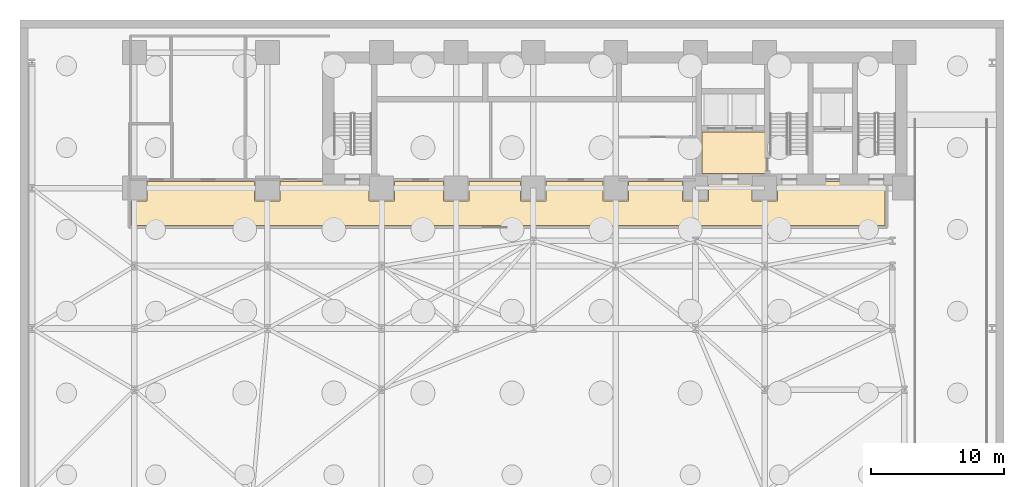
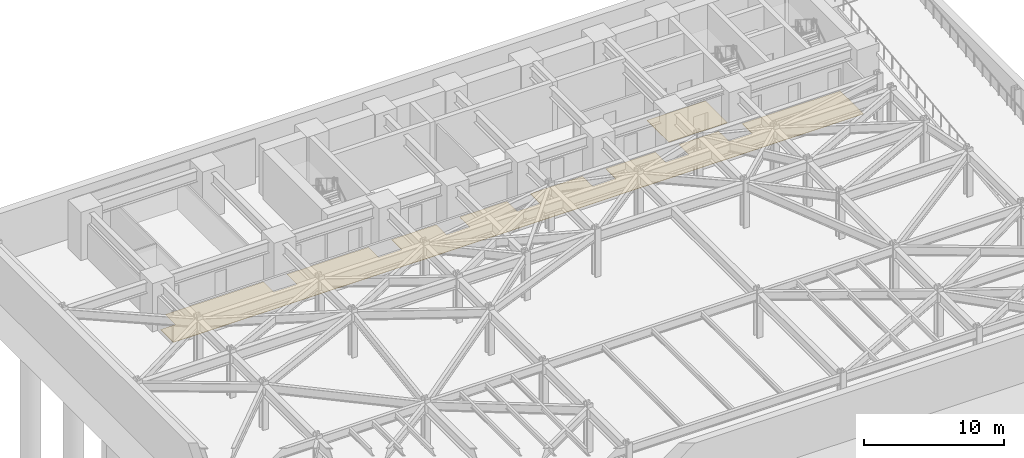
# One storey, part 8 of 12: 2 coverings.
"""IFC4 building model written with IfcOpenShell, lengths in metres."""

import ifcopenshell
import ifcopenshell.guid

model = None  # the IFC model being written
_history = None  # IfcOwnerHistory: only IFC2X3 demands one
_inside = {}  # id of a spatial element -> (the spatial element, [elements in it])
_under = {}  # id of a project, library or spatial element -> (it, [spatial elements below it])
_declared = {}  # id of a project -> (the project, [libraries it declares])
_typed = {}  # id of a type object -> (the type object, [elements of that type])
_made_of = {}  # id of a material, layer set ... -> (it, [elements and type objects made of it])


def new_model(schema):
    """Start an empty IFC model of exactly this schema.

    Asked for "IFC4X3", IfcOpenShell would pick the latest addendum, in which some entities
    have other attributes; the version numbers below select the first issue.
    IFC2X3 requires an IfcOwnerHistory on every rooted entity: one is made here for all.
    """
    global model, _history
    if schema == "IFC4X3":
        model = ifcopenshell.file(schema_version=(4, 3, 0, 0))
    else:
        model = ifcopenshell.file(schema=schema)
    _inside.clear()
    _under.clear()
    _declared.clear()
    _typed.clear()
    _made_of.clear()
    _history = None
    if model.schema == "IFC2X3":
        org = make("IfcOrganization", Name="unknown")
        user = make(
            "IfcPersonAndOrganization",
            ThePerson=make("IfcPerson", FamilyName="unknown"),
            TheOrganization=org,
        )
        app = make(
            "IfcApplication",
            ApplicationDeveloper=org,
            Version="unknown",
            ApplicationFullName="unknown",
            ApplicationIdentifier="unknown",
        )
        _history = make(
            "IfcOwnerHistory",
            OwningUser=user,
            OwningApplication=app,
            ChangeAction="ADDED",
            CreationDate=0,
        )
    return model


def make(cls, **values):
    """One entity of the class cls with the attributes given. An attribute that is None is left unset."""
    return model.create_entity(
        cls, **{name: value for name, value in values.items() if value is not None}
    )


def rooted(cls, **values):
    """An entity with a GlobalId (a new one), such as an element, a storey or a relation."""
    return make(cls, GlobalId=ifcopenshell.guid.new(), OwnerHistory=_history, **values)


def si_unit(unit_type, name, prefix=None):
    """IfcSIUnit, for example si_unit("LENGTHUNIT", "METRE", prefix="MILLI")."""
    return make("IfcSIUnit", UnitType=unit_type, Prefix=prefix, Name=name)


def assignment(units):
    """IfcUnitAssignment: the units of a project."""
    return None if units is None else make("IfcUnitAssignment", Units=units)


def point(xyz):
    """IfcCartesianPoint."""
    return None if xyz is None else make("IfcCartesianPoint", Coordinates=xyz)


def direction(xyz):
    """IfcDirection."""
    return None if xyz is None else make("IfcDirection", DirectionRatios=xyz)


def frame(location, z_axis=None, x_axis=None):
    """IfcAxis2Placement3D, a coordinate frame: its origin and axes. An axis left out is left unset."""
    return make(
        "IfcAxis2Placement3D",
        Location=point(location),
        Axis=direction(z_axis),
        RefDirection=direction(x_axis),
    )


def origin():
    """The frame at (0, 0, 0) with its axes left unset."""
    return frame((0.0, 0.0, 0.0))


def place(relative_to, where):
    """IfcLocalPlacement: puts the frame where relative to a parent placement (None: the world)."""
    return make(
        "IfcLocalPlacement", PlacementRelTo=relative_to, RelativePlacement=where
    )


def context(
    kind, dimensions, precision=None, world=None, true_north=None, identifier=None
):
    """IfcGeometricRepresentationContext, for example the 3D "Model" context."""
    return make(
        "IfcGeometricRepresentationContext",
        ContextIdentifier=identifier,
        ContextType=kind,
        CoordinateSpaceDimension=dimensions,
        Precision=precision,
        WorldCoordinateSystem=world,
        TrueNorth=true_north,
    )


def subcontext(parent, identifier, kind, view, scale=None):
    """IfcGeometricRepresentationSubContext, for example "Body" below "Model"."""
    return make(
        "IfcGeometricRepresentationSubContext",
        ContextIdentifier=identifier,
        ContextType=kind,
        ParentContext=parent,
        TargetScale=scale,
        TargetView=view,
    )


def project(units=None, contexts=None):
    """IfcProject with its units and contexts."""
    return rooted(
        "IfcProject",
        Name="project",
        RepresentationContexts=contexts,
        UnitsInContext=assignment(units),
    )


def spatial(cls, under=None, at=None, **own):
    """A site, building, storey or space (cls), placed at a placement, below another one or the project."""
    s = rooted(cls, ObjectPlacement=at, **own)
    if under is not None:
        _under.setdefault(under.id(), (under, []))[1].append(s)
    return s


def polyline(points):
    """IfcPolyline through the points."""
    return make("IfcPolyline", Points=[point(p) for p in points])


def outline(outer, holes=None, kind="AREA"):
    """IfcArbitraryClosedProfileDef: a profile drawn as a closed curve; with holes, ...WithVoids."""
    if holes is None:
        return make("IfcArbitraryClosedProfileDef", ProfileType=kind, OuterCurve=outer)
    return make(
        "IfcArbitraryProfileDefWithVoids",
        ProfileType=kind,
        OuterCurve=outer,
        InnerCurves=holes,
    )


def extrude(swept, where, along, depth):
    """IfcExtrudedAreaSolid: the profile swept, set in the frame where, extruded along a direction by depth."""
    return make(
        "IfcExtrudedAreaSolid",
        SweptArea=swept,
        Position=where,
        ExtrudedDirection=direction(along),
        Depth=depth,
    )


def shape(context_of_items, identifier, shape_type, items):
    """IfcShapeRepresentation: the items that make up one representation, for example the "Body"."""
    return make(
        "IfcShapeRepresentation",
        ContextOfItems=context_of_items,
        RepresentationIdentifier=identifier,
        RepresentationType=shape_type,
        Items=items,
    )


def material(Name=None, Category=None):
    """IfcMaterial."""
    return make("IfcMaterial", Name=Name, Category=Category)


def layer(
    of_material, thickness, ventilated=None, Name=None, Category=None, Priority=None
):
    """IfcMaterialLayer: one layer of a wall or slab, of a material (None: an air gap)."""
    return make(
        "IfcMaterialLayer",
        Material=of_material,
        LayerThickness=thickness,
        IsVentilated=ventilated,
        Name=Name,
        Category=Category,
        Priority=Priority,
    )


def layer_set(layers, Name=None):
    """IfcMaterialLayerSet."""
    return make("IfcMaterialLayerSet", MaterialLayers=layers, LayerSetName=Name)


def made_of(thing, what):
    """Note that an element or type object is made of a material, layer set ...; save() writes the relation."""
    if what is not None:
        _made_of.setdefault(what.id(), (what, []))[1].append(thing)
    return thing


def type_object(cls, material=None, **own):
    """A type object (cls), such as IfcWallType, which elements share."""
    return made_of(rooted(cls, **own), material)


def element(
    cls,
    number,
    at=None,
    inside=None,
    cuts=None,
    type_object=None,
    material=None,
    context=None,
    identifier="Body",
    shape_type=None,
    held_by="IfcProductDefinitionShape",
    body=None,
    shapes=None,
    **own,
):
    """One element of the class cls, such as IfcWall. Its Tag is "e" and its number.

    at: its placement. inside: the storey or other place that contains it. cuts: it is an
    opening in that element (IfcRelVoidsElement). A single representation is given by context,
    identifier, shape_type and body (its items); several are given by shapes. held_by: the class
    of the entity that holds the representations. save() writes the other relations.
    """
    e = rooted(cls, Tag="e%d" % number, ObjectPlacement=at, **own)
    if body is not None:
        shapes = [shape(context, identifier, shape_type, body)]
    if shapes is not None:
        e.Representation = make(held_by, Representations=shapes)
    if inside is not None:
        _inside.setdefault(inside.id(), (inside, []))[1].append(e)
    if cuts is not None:
        rooted(
            "IfcRelVoidsElement", RelatingBuildingElement=cuts, RelatedOpeningElement=e
        )
    if type_object is not None:
        _typed.setdefault(type_object.id(), (type_object, []))[1].append(e)
    return made_of(e, material)


def aggregate(whole, parts):
    """IfcRelAggregates: a whole, such as a stair, and the parts it consists of."""
    return rooted("IfcRelAggregates", RelatingObject=whole, RelatedObjects=parts)


def save(model, path):
    """Write the relations noted so far, then the file.

    IfcRelAggregates (storeys below a building ...), IfcRelContainedInSpatialStructure (elements
    in a storey), IfcRelDefinesByType, IfcRelAssociatesMaterial and IfcRelDeclares: one each for
    every whole, place, type object, material and project.
    """
    for whole, parts in _under.values():
        aggregate(whole, parts)
    for where, things in _inside.values():
        rooted(
            "IfcRelContainedInSpatialStructure",
            RelatedElements=things,
            RelatingStructure=where,
        )
    for kind, things in _typed.values():
        rooted("IfcRelDefinesByType", RelatedObjects=things, RelatingType=kind)
    for what, things in _made_of.values():
        rooted("IfcRelAssociatesMaterial", RelatedObjects=things, RelatingMaterial=what)
    for by, libraries in _declared.values():
        rooted("IfcRelDeclares", RelatingContext=by, RelatedDefinitions=libraries)
    model.write(path)


model = new_model("IFC4")

# Units and contexts
model_context = context("Model", 3, precision=1e-05, world=origin(), true_north=direction((0.0, 1.0)))
body_context = subcontext(model_context, "Body", "Model", "MODEL_VIEW")
ifc_project = project(units=[si_unit("LENGTHUNIT", "METRE"), si_unit("AREAUNIT", "SQUARE_METRE"), si_unit("VOLUMEUNIT", "CUBIC_METRE"), si_unit("PLANEANGLEUNIT", "RADIAN"), si_unit("MASSUNIT", "GRAM", prefix="KILO")], contexts=[model_context])

# Site, building, storey
site_placement = place(None, origin())
site = spatial("IfcSite", under=ifc_project, at=site_placement, CompositionType="ELEMENT")
building_placement = place(site_placement, origin())
building = spatial("IfcBuilding", under=site, at=building_placement, Name="Kravanh Interchange Tower", CompositionType="ELEMENT")
storey_placement = place(building_placement, frame((0.0, 0.0, -8.39990234375)))
storey = spatial("IfcBuildingStorey", under=building, at=storey_placement, Name="B2", CompositionType="ELEMENT", Elevation=-8.39990234375)

# Coverings
ifc_material = material(Name="Cementitious Terrazzo Tile")
ifc_layer = layer(ifc_material, 0.030029296875)
ifc_layer_set = layer_set([ifc_layer], Name="Honed Terrazzo Lobby Flooring 30mm")
covering_type = type_object("IfcCoveringType", Name="Honed Terrazzo Lobby Flooring 30mm", PredefinedType="FLOORING", material=ifc_layer_set)
covering_1_placement = place(storey_placement, origin())
element("IfcCovering", 1, at=covering_1_placement, inside=storey, type_object=covering_type, Name="B2 Firefighting Lobby Floor Finish", PredefinedType="FLOORING", context=body_context, shape_type="SweptSolid", body=[
    extrude(outline(polyline([(56.1201171875, 38.4599609375), (51.300048828125, 38.4599609375), (51.300048828125, 41.580078125), (56.1201171875, 41.580078125), (56.1201171875, 38.4599609375)])), origin(), (0.0, 0.0, 1.0), 0.02978515625),
])
covering_2_placement = place(storey_placement, origin())
element("IfcCovering", 2, at=covering_2_placement, inside=storey, type_object=covering_type, Name="B2 Basement Core Corridor Floor Finish", PredefinedType="FLOORING", context=body_context, shape_type="SweptSolid", body=[
    extrude(outline(polyline([(17.639892578125, 37.840087890625), (17.639892578125, 36.389892578125), (19.56005859375, 36.389892578125), (19.56005859375, 37.840087890625), (26.239990234375, 37.840087890625), (26.239990234375, 36.389892578125), (28.159912109375, 36.389892578125), (28.159912109375, 37.840087890625), (31.840087890625, 37.840087890625), (31.840087890625, 36.389892578125), (33.760009765625, 36.389892578125), (33.760009765625, 37.840087890625), (37.639892578125, 37.840087890625), (37.639892578125, 36.389892578125), (39.56005859375, 36.389892578125), (39.56005859375, 37.840087890625), (43.840087890625, 37.840087890625), (43.840087890625, 36.389892578125), (45.760009765625, 36.389892578125), (45.760009765625, 37.840087890625), (49.840087890625, 37.840087890625), (49.840087890625, 36.389892578125), (51.760009765625, 36.389892578125), (51.760009765625, 37.840087890625), (55.0400390625, 37.840087890625), (55.0400390625, 36.389892578125), (56.9599609375, 36.389892578125), (56.9599609375, 37.840087890625), (65.0400390625, 37.840087890625), (65.0400390625, 34.56005859375), (8.330078125, 34.56005859375), (8.330078125, 36.389892578125), (9.56005859375, 36.389892578125), (9.56005859375, 37.840087890625), (17.639892578125, 37.840087890625)])), origin(), (0.0, 0.0, 1.0), 0.02978515625),
])

save(model, "model.ifc")
